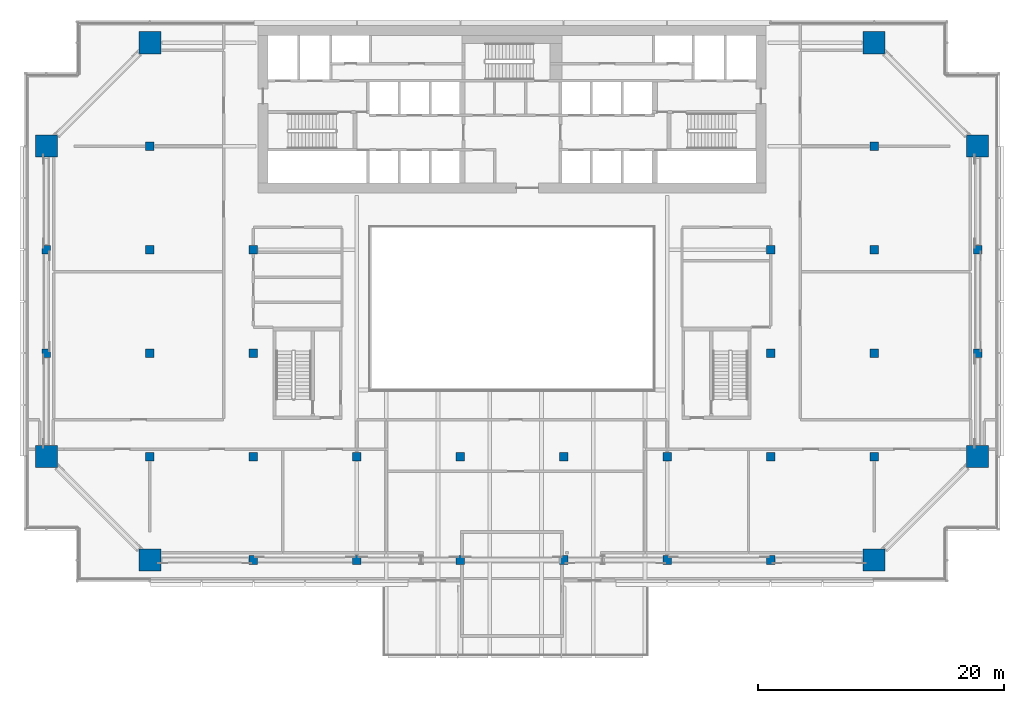
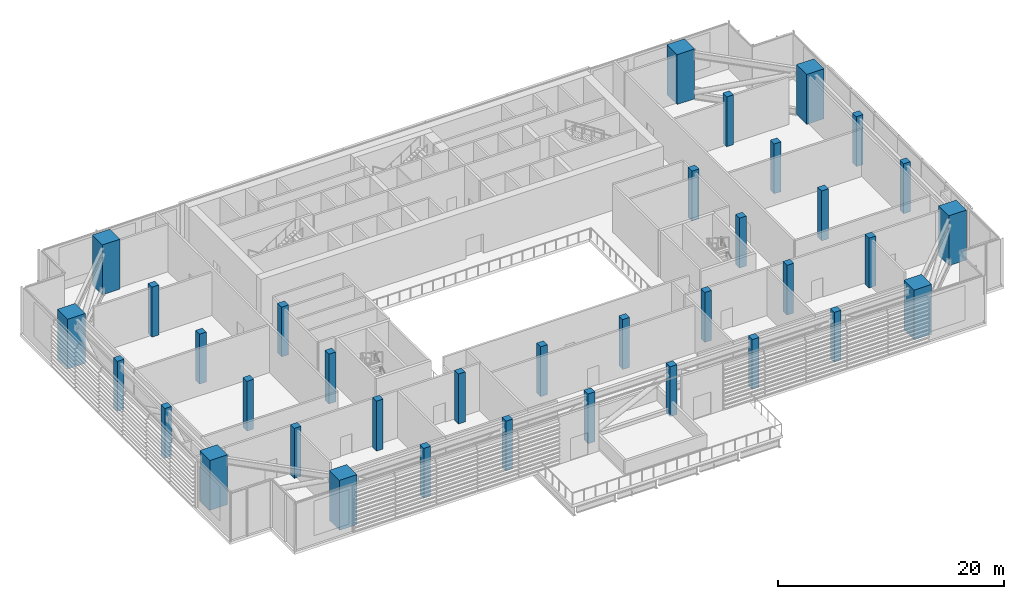
# One storey, part 1 of 29: 36 columns.
"""IFC4 building model written with IfcOpenShell, lengths in metres."""

from ifc_helpers import new_model, si_unit, direction, frame, origin, origin_2d, place, context, subcontext, project, spatial, rectangle, extrude, material, material_profile, profile_set, type_object, element, save


model = new_model("IFC4")

# Units and contexts
model_context = context("Model", 3, precision=1e-05, world=origin(), true_north=direction((0.0, 1.0)))
body_context = subcontext(model_context, "Body", "Model", "MODEL_VIEW")
ifc_project = project(units=[si_unit("LENGTHUNIT", "METRE"), si_unit("AREAUNIT", "SQUARE_METRE"), si_unit("VOLUMEUNIT", "CUBIC_METRE"), si_unit("PLANEANGLEUNIT", "RADIAN"), si_unit("MASSUNIT", "GRAM", prefix="KILO")], contexts=[model_context])

# Site, building, storey
site_placement = place(None, origin())
site = spatial("IfcSite", under=ifc_project, at=site_placement, CompositionType="ELEMENT")
building_placement = place(site_placement, origin())
building = spatial("IfcBuilding", under=site, at=building_placement, Name="Saffron Gate Tower", CompositionType="ELEMENT")
storey_placement = place(building_placement, frame((0.0, 0.0, 142.050048828125)))
storey = spatial("IfcBuildingStorey", under=building, at=storey_placement, Name="L34", CompositionType="ELEMENT", Elevation=142.050048828125)

# Columns
ifc_material_1 = material(Name="Concrete C50", Category="concrete")
ifc_material_profile_1 = material_profile(ifc_material_1, rectangle(XDim=0.699951171875, YDim=0.699951171875, at=origin_2d()))
ifc_profile_set_1 = profile_set([ifc_material_profile_1], Name="Concrete C50")
column_type_1 = type_object("IfcColumnType", Name="C3 RC 700x700 CONCRETE C50", PredefinedType="COLUMN", material=ifc_profile_set_1)
for number, where, z_axis, x_axis, name in (
    (1, (49.800048828125, 48.60009765625, 0.0), (0.0, 0.0, 1.0), (1.0, 0.0, 0.0), "C3 COLUMN X1-C"),
    (2, (49.800048828125, 57.0, 0.0), (0.0, 0.0, 1.0), (1.0, 0.0, 0.0), "C3 COLUMN X1-D"),
    (3, (58.199951171875, 40.199951171875, 0.0), (0.0, 0.0, 1.0), (1.0, 0.0, 0.0), "C3 COLUMN X2-B"),
    (4, (58.199951171875, 48.60009765625, 0.0), (0.0, 0.0, 1.0), (1.0, 0.0, 0.0), "C3 COLUMN X2-C"),
    (5, (58.199951171875, 57.0, 0.0), (0.0, 0.0, 1.0), (1.0, 0.0, 0.0), "C3 COLUMN X2-D"),
    (6, (58.199951171875, 65.39990234375, 0.0), (0.0, 0.0, 1.0), (1.0, 0.0, 0.0), "C3 COLUMN X2-E"),
    (7, (66.60009765625, 31.800048828125, 0.0), (0.0, 0.0, 1.0), (1.0, 0.0, 0.0), "C3 COLUMN X3-A"),
    (8, (66.60009765625, 40.199951171875, 0.0), (0.0, 0.0, 1.0), (1.0, 0.0, 0.0), "C3 COLUMN X3-B"),
    (9, (66.60009765625, 48.60009765625, 0.0), (0.0, 0.0, 1.0), (1.0, 0.0, 0.0), "C3 COLUMN X3-C"),
    (10, (66.60009765625, 57.0, 0.0), (0.0, 0.0, 1.0), (1.0, 0.0, 0.0), "C3 COLUMN X3-D"),
    (11, (75.0, 31.800048828125, 0.0), (0.0, 0.0, 1.0), (1.0, 0.0, 0.0), "C3 COLUMN X4-A"),
    (12, (75.0, 40.199951171875, 0.0), (0.0, 0.0, 1.0), (1.0, 0.0, 0.0), "C3 COLUMN X4-B"),
    (13, (83.39990234375, 31.800048828125, 0.0), (0.0, 0.0, 1.0), (1.0, 0.0, 0.0), "C3 COLUMN X5-A"),
    (14, (83.39990234375, 40.199951171875, 0.0), (0.0, 0.0, 1.0), (1.0, 0.0, 0.0), "C3 COLUMN X5-B"),
    (15, (91.800048828125, 31.800048828125, 0.0), (0.0, 0.0, 1.0), (1.0, 0.0, 0.0), "C3 COLUMN X6-A"),
    (16, (91.800048828125, 40.199951171875, 0.0), (0.0, 0.0, 1.0), (1.0, 0.0, 0.0), "C3 COLUMN X6-B"),
    (17, (100.199951171875, 31.800048828125, 0.0), (0.0, 0.0, 1.0), (1.0, 0.0, 0.0), "C3 COLUMN X7-A"),
    (18, (100.199951171875, 40.199951171875, 0.0), (0.0, 0.0, 1.0), (1.0, 0.0, 0.0), "C3 COLUMN X7-B"),
    (19, (108.60009765625, 31.800048828125, 0.0), (0.0, 0.0, 1.0), (1.0, 0.0, 0.0), "C3 COLUMN X8-A"),
    (20, (108.60009765625, 40.199951171875, 0.0), (0.0, 0.0, 1.0), (1.0, 0.0, 0.0), "C3 COLUMN X8-B"),
    (21, (108.60009765625, 48.60009765625, 0.0), (0.0, 0.0, 1.0), (1.0, 0.0, 0.0), "C3 COLUMN X8-C"),
    (22, (108.60009765625, 57.0, 0.0), (0.0, 0.0, 1.0), (1.0, 0.0, 0.0), "C3 COLUMN X8-D"),
    (23, (117.0, 40.199951171875, 0.0), (0.0, 0.0, 1.0), (1.0, 0.0, 0.0), "C3 COLUMN X9-B"),
    (24, (117.0, 48.60009765625, 0.0), (0.0, 0.0, 1.0), (1.0, 0.0, 0.0), "C3 COLUMN X9-C"),
    (25, (117.0, 57.0, 0.0), (0.0, 0.0, 1.0), (1.0, 0.0, 0.0), "C3 COLUMN X9-D"),
    (26, (117.0, 65.39990234375, 0.0), (0.0, 0.0, 1.0), (1.0, 0.0, 0.0), "C3 COLUMN X9-E"),
    (27, (125.39990234375, 48.60009765625, 0.0), (0.0, 0.0, 1.0), (1.0, 0.0, 0.0), "C3 COLUMN X10-C"),
    (28, (125.39990234375, 57.0, 0.0), (0.0, 0.0, 1.0), (1.0, 0.0, 0.0), "C3 COLUMN X10-D"),
):
    element("IfcColumn", number, at=place(storey_placement, frame(where, z_axis=z_axis, x_axis=x_axis)), inside=storey, type_object=column_type_1, Name=name, PredefinedType="COLUMN", context=body_context, shape_type="SweptSolid", body=[
        extrude(rectangle(XDim=0.699951171875, YDim=0.699951171875, at=origin_2d()), origin(), (0.0, 0.0, 1.0), 5.39990234375),
    ])
ifc_material_2 = material(Name="Concrete C70", Category="concrete")
ifc_material_profile_2 = material_profile(ifc_material_2, rectangle(XDim=1.800048828125, YDim=1.800048828125, at=origin_2d()))
ifc_profile_set_2 = profile_set([ifc_material_profile_2], Name="Concrete C70")
column_type_2 = type_object("IfcColumnType", Name="MC2 RC 1800x1800 CONCRETE C70", PredefinedType="COLUMN", material=ifc_profile_set_2)
for number, where, z_axis, x_axis, name in (
    (29, (49.800048828125, 40.199951171875, 0.0), (0.0, 0.0, 1.0), (1.0, 0.0, 0.0), "MC2 MEGA COLUMN X1-B"),
    (30, (49.800048828125, 65.39990234375, 0.0), (0.0, 0.0, 1.0), (1.0, 0.0, 0.0), "MC2 MEGA COLUMN X1-E"),
    (31, (58.199951171875, 31.800048828125, 0.0), (0.0, 0.0, 1.0), (1.0, 0.0, 0.0), "MC2 MEGA COLUMN X2-A"),
    (32, (58.199951171875, 73.800048828125, 0.0), (0.0, 0.0, 1.0), (1.0, 0.0, 0.0), "MC2 MEGA COLUMN X2-F"),
    (33, (117.0, 31.800048828125, 0.0), (0.0, 0.0, 1.0), (1.0, 0.0, 0.0), "MC2 MEGA COLUMN X9-A"),
    (34, (117.0, 73.800048828125, 0.0), (0.0, 0.0, 1.0), (1.0, 0.0, 0.0), "MC2 MEGA COLUMN X9-F"),
    (35, (125.39990234375, 40.199951171875, 0.0), (0.0, 0.0, 1.0), (1.0, 0.0, 0.0), "MC2 MEGA COLUMN X10-B"),
    (36, (125.39990234375, 65.39990234375, 0.0), (0.0, 0.0, 1.0), (1.0, 0.0, 0.0), "MC2 MEGA COLUMN X10-E"),
):
    element("IfcColumn", number, at=place(storey_placement, frame(where, z_axis=z_axis, x_axis=x_axis)), inside=storey, type_object=column_type_2, Name=name, PredefinedType="COLUMN", context=body_context, shape_type="SweptSolid", body=[
        extrude(rectangle(XDim=1.800048828125, YDim=1.800048828125, at=origin_2d()), origin(), (0.0, 0.0, 1.0), 5.39990234375),
    ])

save(model, "model.ifc")
